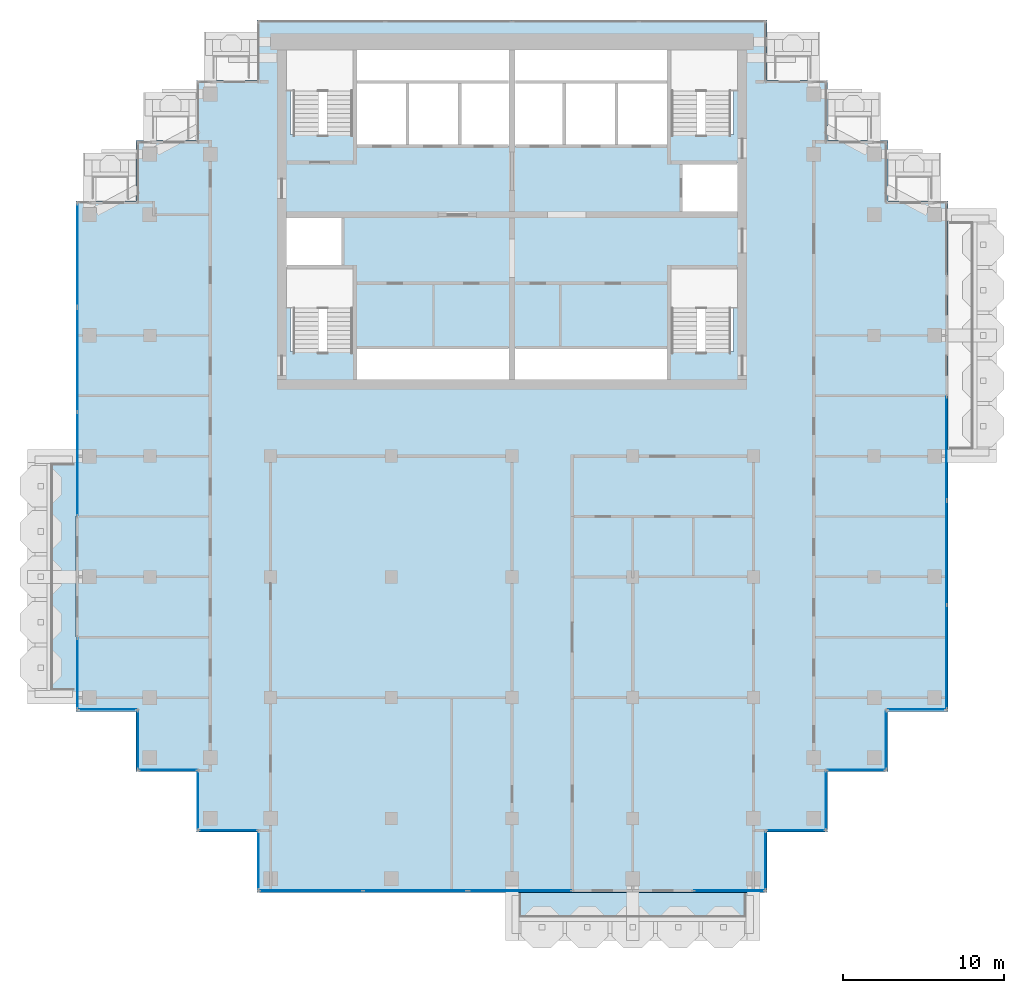
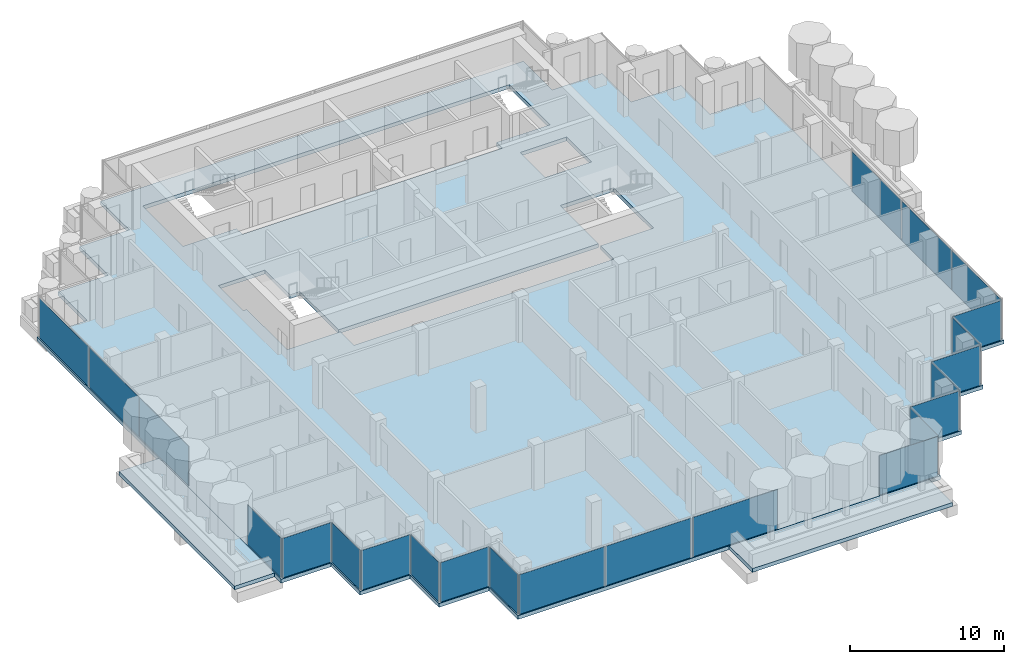
# One storey, part 8 of 19: 23 plates, 3 slabs, 20 elements without a shape of their own.
"""IFC4 building model written with IfcOpenShell, lengths in metres."""

from ifc_helpers import new_model, si_unit, direction, frame, origin, origin_2d, place, context, subcontext, project, spatial, polyline, rectangle, outline, extrude, material, layer, layer_set, type_object, element, aggregate, save


model = new_model("IFC4")

# Units and contexts
model_context = context("Model", 3, precision=1e-05, world=origin(), true_north=direction((0.0, 1.0)))
body_context = subcontext(model_context, "Body", "Model", "MODEL_VIEW")
ifc_project = project(units=[si_unit("LENGTHUNIT", "METRE"), si_unit("AREAUNIT", "SQUARE_METRE"), si_unit("VOLUMEUNIT", "CUBIC_METRE"), si_unit("PLANEANGLEUNIT", "RADIAN"), si_unit("MASSUNIT", "GRAM", prefix="KILO")], contexts=[model_context])

# Site, building, storey
site_placement = place(None, origin())
site = spatial("IfcSite", under=ifc_project, at=site_placement, CompositionType="ELEMENT")
building_placement = place(site_placement, origin())
building = spatial("IfcBuilding", under=site, at=building_placement, Name="Pilkhan Gate Tower", CompositionType="ELEMENT")
storey_placement = place(building_placement, frame((0.0, 0.0, 239.10009765625)))
storey = spatial("IfcBuildingStorey", under=building, at=storey_placement, Name="L62", CompositionType="ELEMENT", Elevation=239.10009765625)

# Slabs
ifc_material_1 = material(Name="Concrete C60/75", Category="concrete")
ifc_layer_1 = layer(ifc_material_1, 0.300048828125)
ifc_layer_set_1 = layer_set([ifc_layer_1], Name="Balcony tray slab TR300")
slab_type_1 = type_object("IfcSlabType", Name="Balcony tray slab TR300", PredefinedType="FLOOR", material=ifc_layer_set_1)
slab_1_placement = place(storey_placement, frame((0.0, 0.0, -0.300048828125)))
element("IfcSlab", 1, at=slab_1_placement, inside=storey, type_object=slab_type_1, Name="Balcony tray L62 S", PredefinedType="FLOOR", context=body_context, shape_type="SweptSolid", body=[
    extrude(outline(polyline([(90.0, 37.39990234375), (90.0, 40.39990234375), (75.0, 40.39990234375), (75.0, 37.39990234375), (90.0, 37.39990234375)])), origin(), (0.0, 0.0, 1.0), 0.300048828125),
])
slab_2_placement = place(storey_placement, frame((0.0, 0.0, -0.300048828125)))
element("IfcSlab", 2, at=slab_2_placement, inside=storey, type_object=slab_type_1, Name="Balcony tray L62 W", PredefinedType="FLOOR", context=body_context, shape_type="SweptSolid", body=[
    extrude(outline(polyline([(47.89990234375, 52.5), (47.89990234375, 67.5), (44.89990234375, 67.5), (44.89990234375, 52.5), (47.89990234375, 52.5)])), origin(), (0.0, 0.0, 1.0), 0.300048828125),
])
ifc_material_2 = material(Name="Concrete C40/50", Category="concrete")
ifc_layer_2 = layer(ifc_material_2, 0.300048828125)
ifc_layer_set_2 = layer_set([ifc_layer_2], Name="Flat plate slab FP300")
slab_type_2 = type_object("IfcSlabType", Name="Flat plate slab FP300", PredefinedType="FLOOR", material=ifc_layer_set_2)
slab_3_placement = place(storey_placement, frame((0.0, 0.0, -0.300048828125)))
element("IfcSlab", 3, at=slab_3_placement, inside=storey, type_object=slab_type_2, Name="Floor slab L62", PredefinedType="FLOOR", context=body_context, shape_type="SweptSolid", body=[
    extrude(outline(polyline([(98.35009765625, 47.89990234375), (94.60009765625, 47.89990234375), (94.60009765625, 44.14990234375), (90.85009765625, 44.14990234375), (90.85009765625, 40.39990234375), (59.14990234375, 40.39990234375), (59.14990234375, 44.14990234375), (55.39990234375, 44.14990234375), (55.39990234375, 47.89990234375), (51.64990234375, 47.89990234375), (51.64990234375, 51.64990234375), (47.89990234375, 51.64990234375), (47.89990234375, 83.35009765625), (51.64990234375, 83.35009765625), (51.64990234375, 87.10009765625), (55.39990234375, 87.10009765625), (55.39990234375, 90.85009765625), (59.14990234375, 90.85009765625), (59.14990234375, 94.60009765625), (90.85009765625, 94.60009765625), (90.85009765625, 90.85009765625), (94.60009765625, 90.85009765625), (94.60009765625, 87.10009765625), (98.35009765625, 87.10009765625), (98.35009765625, 83.35009765625), (102.10009765625, 83.35009765625), (102.10009765625, 51.64990234375), (98.35009765625, 51.64990234375), (98.35009765625, 47.89990234375)]), holes=[polyline([(75.0, 72.25), (84.75, 72.25), (84.75, 74.0), (88.75, 74.0), (88.75, 79.25), (84.75, 79.25), (84.75, 74.25), (75.0, 74.25), (65.25, 74.25), (65.25, 79.25), (64.5, 79.25), (64.5, 82.5), (61.25, 82.5), (61.0, 82.5), (61.0, 79.25), (61.25, 79.25), (61.25, 74.0), (65.25, 74.0), (65.25, 72.25), (75.0, 72.25)]), polyline([(68.5, 86.75), (71.75, 86.75), (75.0, 86.75), (78.25, 86.75), (81.5, 86.75), (84.75, 86.75), (84.75, 87.5), (88.75, 87.5), (88.75, 92.75), (84.75, 92.75), (75.0, 92.75), (65.25, 92.75), (61.25, 92.75), (61.25, 87.5), (65.25, 87.5), (65.25, 86.75), (68.5, 86.75)]), polyline([(85.5, 85.75), (85.5, 82.5), (88.75, 82.5), (89.0, 82.5), (89.0, 85.75), (88.75, 85.75), (85.5, 85.75)])]), origin(), (0.0, 0.0, 1.0), 0.300048828125),
])

# Curtain wall, plates
ifc_material_3 = material(Name="Pale anodised aluminium, clear low-iron double glazing", Category="aluminium")
curtain_wall_type = type_object("IfcCurtainWallType", Name="Office unitised curtain wall CW-O2", PredefinedType="USERDEFINED", material=ifc_material_3)
curtain_wall_1_placement = place(storey_placement, origin())
curtain_wall_1 = element("IfcCurtainWall", 4, at=curtain_wall_1_placement, inside=storey, type_object=curtain_wall_type, Name="Office unitised curtain wall CW-O2 L62 E", ObjectType="UNITISED CURTAIN WALL", PredefinedType="USERDEFINED")
ifc_material_4 = material(Name="Clear low-iron double glazing", Category="glass")
ifc_layer_3 = layer(ifc_material_4, 0.031982421875)
ifc_layer_set_3 = layer_set([ifc_layer_3], Name="Glass panel CW-O2 32")
plate_type = type_object("IfcPlateType", Name="Glass panel CW-O2 32", PredefinedType="CURTAIN_PANEL", material=ifc_layer_set_3)
plate_1_placement = place(storey_placement, frame((102.0, 55.016357421875, 0.0), z_axis=(0.0, 0.0, 1.0), x_axis=(0.0, 1.0, 0.0)))
plate_1 = element("IfcPlate", 5, at=plate_1_placement, type_object=plate_type, Name="CW-O2 panel 1", PredefinedType="CURTAIN_PANEL", context=body_context, shape_type="SweptSolid", body=[
    extrude(rectangle(XDim=6.402587890625, YDim=0.031982421875, at=origin_2d()), origin(), (0.0, 0.0, 1.0), 3.135009765625),
])
plate_2_placement = place(storey_placement, frame((102.0, 61.483642578125, 0.0), z_axis=(0.0, 0.0, 1.0), x_axis=(0.0, 1.0, 0.0)))
plate_2 = element("IfcPlate", 6, at=plate_2_placement, type_object=plate_type, Name="CW-O2 panel 2", PredefinedType="CURTAIN_PANEL", context=body_context, shape_type="SweptSolid", body=[
    extrude(rectangle(XDim=6.402587890625, YDim=0.031982421875, at=origin_2d()), origin(), (0.0, 0.0, 1.0), 3.135009765625),
])
aggregate(curtain_wall_1, [plate_1, plate_2])

# Curtain wall, plate
curtain_wall_2_placement = place(storey_placement, origin())
curtain_wall_2 = element("IfcCurtainWall", 7, at=curtain_wall_2_placement, inside=storey, type_object=curtain_wall_type, Name="Office unitised curtain wall CW-O2 L62 E", ObjectType="UNITISED CURTAIN WALL", PredefinedType="USERDEFINED")
plate_3_placement = place(storey_placement, frame((102.0, 68.0, 0.0), z_axis=(0.0, 0.0, 1.0), x_axis=(0.0, 1.0, 0.0)))
plate_3 = element("IfcPlate", 8, at=plate_3_placement, type_object=plate_type, Name="CW-O2 panel 1", PredefinedType="CURTAIN_PANEL", context=body_context, shape_type="SweptSolid", body=[
    extrude(rectangle(XDim=6.3701171875, YDim=0.031982421875, at=origin_2d()), origin(), (0.0, 0.0, 1.0), 3.135009765625),
])
aggregate(curtain_wall_2, [plate_3])

curtain_wall_3_placement = place(storey_placement, origin())
curtain_wall_3 = element("IfcCurtainWall", 9, at=curtain_wall_3_placement, inside=storey, type_object=curtain_wall_type, Name="Office unitised curtain wall CW-O2 L62 W", ObjectType="UNITISED CURTAIN WALL", PredefinedType="USERDEFINED")
plate_4_placement = place(storey_placement, frame((48.0, 54.0, 0.0), z_axis=(0.0, 0.0, 1.0), x_axis=(0.0, 1.0, 0.0)))
plate_4 = element("IfcPlate", 10, at=plate_4_placement, type_object=plate_type, Name="CW-O2 panel 1", PredefinedType="CURTAIN_PANEL", context=body_context, shape_type="SweptSolid", body=[
    extrude(rectangle(XDim=4.3701171875, YDim=0.031982421875, at=origin_2d()), origin(), (0.0, 0.0, 1.0), 3.135009765625),
])
aggregate(curtain_wall_3, [plate_4])

# Curtain wall, plates
curtain_wall_4_placement = place(storey_placement, origin())
curtain_wall_4 = element("IfcCurtainWall", 11, at=curtain_wall_4_placement, inside=storey, type_object=curtain_wall_type, Name="Office unitised curtain wall CW-O2 L62 W", ObjectType="UNITISED CURTAIN WALL", PredefinedType="USERDEFINED")
plate_5_placement = place(storey_placement, frame((48.0, 67.016357421875, 0.0), z_axis=(0.0, 0.0, 1.0), x_axis=(0.0, 1.0, 0.0)))
plate_5 = element("IfcPlate", 12, at=plate_5_placement, type_object=plate_type, Name="CW-O2 panel 1", PredefinedType="CURTAIN_PANEL", context=body_context, shape_type="SweptSolid", body=[
    extrude(rectangle(XDim=6.402587890625, YDim=0.031982421875, at=origin_2d()), origin(), (0.0, 0.0, 1.0), 3.135009765625),
])
plate_6_placement = place(storey_placement, frame((48.0, 73.483642578125, 0.0), z_axis=(0.0, 0.0, 1.0), x_axis=(0.0, 1.0, 0.0)))
plate_6 = element("IfcPlate", 13, at=plate_6_placement, type_object=plate_type, Name="CW-O2 panel 2", PredefinedType="CURTAIN_PANEL", context=body_context, shape_type="SweptSolid", body=[
    extrude(rectangle(XDim=6.402587890625, YDim=0.031982421875, at=origin_2d()), origin(), (0.0, 0.0, 1.0), 3.135009765625),
])
aggregate(curtain_wall_4, [plate_5, plate_6])

# Curtain wall, plate
curtain_wall_5_placement = place(storey_placement, origin())
curtain_wall_5 = element("IfcCurtainWall", 14, at=curtain_wall_5_placement, inside=storey, type_object=curtain_wall_type, Name="Office unitised curtain wall CW-O2 L62 W", ObjectType="UNITISED CURTAIN WALL", PredefinedType="USERDEFINED")
plate_7_placement = place(storey_placement, frame((48.0, 80.0, 0.0), z_axis=(0.0, 0.0, 1.0), x_axis=(0.0, 1.0, 0.0)))
plate_7 = element("IfcPlate", 15, at=plate_7_placement, type_object=plate_type, Name="CW-O2 panel 1", PredefinedType="CURTAIN_PANEL", context=body_context, shape_type="SweptSolid", body=[
    extrude(rectangle(XDim=6.3701171875, YDim=0.031982421875, at=origin_2d()), origin(), (0.0, 0.0, 1.0), 3.135009765625),
])
aggregate(curtain_wall_5, [plate_7])

curtain_wall_6_placement = place(storey_placement, origin())
curtain_wall_6 = element("IfcCurtainWall", 16, at=curtain_wall_6_placement, inside=storey, type_object=curtain_wall_type, Name="Office unitised curtain wall CW-O2 L62 S", ObjectType="UNITISED CURTAIN WALL", PredefinedType="USERDEFINED")
plate_8_placement = place(storey_placement, frame((49.875, 51.75, 0.0), z_axis=(0.0, 0.0, 1.0), x_axis=(1.0, 0.0, 0.0)))
plate_8 = element("IfcPlate", 17, at=plate_8_placement, type_object=plate_type, Name="CW-O2 panel 1", PredefinedType="CURTAIN_PANEL", context=body_context, shape_type="SweptSolid", body=[
    extrude(rectangle(XDim=3.6201171875, YDim=0.031982421875, at=origin_2d()), origin(), (0.0, 0.0, 1.0), 3.135009765625),
])
aggregate(curtain_wall_6, [plate_8])

curtain_wall_7_placement = place(storey_placement, origin())
curtain_wall_7 = element("IfcCurtainWall", 18, at=curtain_wall_7_placement, inside=storey, type_object=curtain_wall_type, Name="Office unitised curtain wall CW-O2 L62 W", ObjectType="UNITISED CURTAIN WALL", PredefinedType="USERDEFINED")
plate_9_placement = place(storey_placement, frame((51.75, 49.875, 0.0), z_axis=(0.0, 0.0, 1.0), x_axis=(0.0, 1.0, 0.0)))
plate_9 = element("IfcPlate", 19, at=plate_9_placement, type_object=plate_type, Name="CW-O2 panel 1", PredefinedType="CURTAIN_PANEL", context=body_context, shape_type="SweptSolid", body=[
    extrude(rectangle(XDim=3.6201171875, YDim=0.031982421875, at=origin_2d()), origin(), (0.0, 0.0, 1.0), 3.135009765625),
])
aggregate(curtain_wall_7, [plate_9])

curtain_wall_8_placement = place(storey_placement, origin())
curtain_wall_8 = element("IfcCurtainWall", 20, at=curtain_wall_8_placement, inside=storey, type_object=curtain_wall_type, Name="Office unitised curtain wall CW-O2 L62 S", ObjectType="UNITISED CURTAIN WALL", PredefinedType="USERDEFINED")
plate_10_placement = place(storey_placement, frame((53.625, 48.0, 0.0), z_axis=(0.0, 0.0, 1.0), x_axis=(1.0, 0.0, 0.0)))
plate_10 = element("IfcPlate", 21, at=plate_10_placement, type_object=plate_type, Name="CW-O2 panel 1", PredefinedType="CURTAIN_PANEL", context=body_context, shape_type="SweptSolid", body=[
    extrude(rectangle(XDim=3.6201171875, YDim=0.031982421875, at=origin_2d()), origin(), (0.0, 0.0, 1.0), 3.135009765625),
])
aggregate(curtain_wall_8, [plate_10])

curtain_wall_9_placement = place(storey_placement, origin())
curtain_wall_9 = element("IfcCurtainWall", 22, at=curtain_wall_9_placement, inside=storey, type_object=curtain_wall_type, Name="Office unitised curtain wall CW-O2 L62 W", ObjectType="UNITISED CURTAIN WALL", PredefinedType="USERDEFINED")
plate_11_placement = place(storey_placement, frame((55.5, 46.125, 0.0), z_axis=(0.0, 0.0, 1.0), x_axis=(0.0, 1.0, 0.0)))
plate_11 = element("IfcPlate", 23, at=plate_11_placement, type_object=plate_type, Name="CW-O2 panel 1", PredefinedType="CURTAIN_PANEL", context=body_context, shape_type="SweptSolid", body=[
    extrude(rectangle(XDim=3.6201171875, YDim=0.031982421875, at=origin_2d()), origin(), (0.0, 0.0, 1.0), 3.135009765625),
])
aggregate(curtain_wall_9, [plate_11])

curtain_wall_10_placement = place(storey_placement, origin())
curtain_wall_10 = element("IfcCurtainWall", 24, at=curtain_wall_10_placement, inside=storey, type_object=curtain_wall_type, Name="Office unitised curtain wall CW-O2 L62 S", ObjectType="UNITISED CURTAIN WALL", PredefinedType="USERDEFINED")
plate_12_placement = place(storey_placement, frame((57.375, 44.25, 0.0), z_axis=(0.0, 0.0, 1.0), x_axis=(1.0, 0.0, 0.0)))
plate_12 = element("IfcPlate", 25, at=plate_12_placement, type_object=plate_type, Name="CW-O2 panel 1", PredefinedType="CURTAIN_PANEL", context=body_context, shape_type="SweptSolid", body=[
    extrude(rectangle(XDim=3.6201171875, YDim=0.031982421875, at=origin_2d()), origin(), (0.0, 0.0, 1.0), 3.135009765625),
])
aggregate(curtain_wall_10, [plate_12])

curtain_wall_11_placement = place(storey_placement, origin())
curtain_wall_11 = element("IfcCurtainWall", 26, at=curtain_wall_11_placement, inside=storey, type_object=curtain_wall_type, Name="Office unitised curtain wall CW-O2 L62 W", ObjectType="UNITISED CURTAIN WALL", PredefinedType="USERDEFINED")
plate_13_placement = place(storey_placement, frame((59.25, 42.375, 0.0), z_axis=(0.0, 0.0, 1.0), x_axis=(0.0, 1.0, 0.0)))
plate_13 = element("IfcPlate", 27, at=plate_13_placement, type_object=plate_type, Name="CW-O2 panel 1", PredefinedType="CURTAIN_PANEL", context=body_context, shape_type="SweptSolid", body=[
    extrude(rectangle(XDim=3.6201171875, YDim=0.031982421875, at=origin_2d()), origin(), (0.0, 0.0, 1.0), 3.135009765625),
])
aggregate(curtain_wall_11, [plate_13])

# Curtain wall, plates
curtain_wall_12_placement = place(storey_placement, origin())
curtain_wall_12 = element("IfcCurtainWall", 28, at=curtain_wall_12_placement, inside=storey, type_object=curtain_wall_type, Name="Office unitised curtain wall CW-O2 L62 S", ObjectType="UNITISED CURTAIN WALL", PredefinedType="USERDEFINED")
plate_14_placement = place(storey_placement, frame((62.516357421875, 40.5, 0.0), z_axis=(0.0, 0.0, 1.0), x_axis=(1.0, 0.0, 0.0)))
plate_14 = element("IfcPlate", 29, at=plate_14_placement, type_object=plate_type, Name="CW-O2 panel 1", PredefinedType="CURTAIN_PANEL", context=body_context, shape_type="SweptSolid", body=[
    extrude(rectangle(XDim=6.402587890625, YDim=0.031982421875, at=origin_2d()), origin(), (0.0, 0.0, 1.0), 3.135009765625),
])
plate_15_placement = place(storey_placement, frame((68.983642578125, 40.5, 0.0), z_axis=(0.0, 0.0, 1.0), x_axis=(1.0, 0.0, 0.0)))
plate_15 = element("IfcPlate", 30, at=plate_15_placement, type_object=plate_type, Name="CW-O2 panel 2", PredefinedType="CURTAIN_PANEL", context=body_context, shape_type="SweptSolid", body=[
    extrude(rectangle(XDim=6.402587890625, YDim=0.031982421875, at=origin_2d()), origin(), (0.0, 0.0, 1.0), 3.135009765625),
])
aggregate(curtain_wall_12, [plate_14, plate_15])

# Curtain wall, plate
curtain_wall_13_placement = place(storey_placement, origin())
curtain_wall_13 = element("IfcCurtainWall", 31, at=curtain_wall_13_placement, inside=storey, type_object=curtain_wall_type, Name="Office unitised curtain wall CW-O2 L62 S", ObjectType="UNITISED CURTAIN WALL", PredefinedType="USERDEFINED")
plate_16_placement = place(storey_placement, frame((75.5, 40.5, 0.0), z_axis=(0.0, 0.0, 1.0), x_axis=(1.0, 0.0, 0.0)))
plate_16 = element("IfcPlate", 32, at=plate_16_placement, type_object=plate_type, Name="CW-O2 panel 1", PredefinedType="CURTAIN_PANEL", context=body_context, shape_type="SweptSolid", body=[
    extrude(rectangle(XDim=6.3701171875, YDim=0.031982421875, at=origin_2d()), origin(), (0.0, 0.0, 1.0), 3.135009765625),
])
aggregate(curtain_wall_13, [plate_16])

curtain_wall_14_placement = place(storey_placement, origin())
curtain_wall_14 = element("IfcCurtainWall", 33, at=curtain_wall_14_placement, inside=storey, type_object=curtain_wall_type, Name="Office unitised curtain wall CW-O2 L62 S", ObjectType="UNITISED CURTAIN WALL", PredefinedType="USERDEFINED")
plate_17_placement = place(storey_placement, frame((88.5, 40.5, 0.0), z_axis=(0.0, 0.0, 1.0), x_axis=(1.0, 0.0, 0.0)))
plate_17 = element("IfcPlate", 34, at=plate_17_placement, type_object=plate_type, Name="CW-O2 panel 1", PredefinedType="CURTAIN_PANEL", context=body_context, shape_type="SweptSolid", body=[
    extrude(rectangle(XDim=4.3701171875, YDim=0.031982421875, at=origin_2d()), origin(), (0.0, 0.0, 1.0), 3.135009765625),
])
aggregate(curtain_wall_14, [plate_17])

curtain_wall_15_placement = place(storey_placement, origin())
curtain_wall_15 = element("IfcCurtainWall", 35, at=curtain_wall_15_placement, inside=storey, type_object=curtain_wall_type, Name="Office unitised curtain wall CW-O2 L62 E", ObjectType="UNITISED CURTAIN WALL", PredefinedType="USERDEFINED")
plate_18_placement = place(storey_placement, frame((90.75, 42.375, 0.0), z_axis=(0.0, 0.0, 1.0), x_axis=(0.0, 1.0, 0.0)))
plate_18 = element("IfcPlate", 36, at=plate_18_placement, type_object=plate_type, Name="CW-O2 panel 1", PredefinedType="CURTAIN_PANEL", context=body_context, shape_type="SweptSolid", body=[
    extrude(rectangle(XDim=3.6201171875, YDim=0.031982421875, at=origin_2d()), origin(), (0.0, 0.0, 1.0), 3.135009765625),
])
aggregate(curtain_wall_15, [plate_18])

curtain_wall_16_placement = place(storey_placement, origin())
curtain_wall_16 = element("IfcCurtainWall", 37, at=curtain_wall_16_placement, inside=storey, type_object=curtain_wall_type, Name="Office unitised curtain wall CW-O2 L62 S", ObjectType="UNITISED CURTAIN WALL", PredefinedType="USERDEFINED")
plate_19_placement = place(storey_placement, frame((92.625, 44.25, 0.0), z_axis=(0.0, 0.0, 1.0), x_axis=(1.0, 0.0, 0.0)))
plate_19 = element("IfcPlate", 38, at=plate_19_placement, type_object=plate_type, Name="CW-O2 panel 1", PredefinedType="CURTAIN_PANEL", context=body_context, shape_type="SweptSolid", body=[
    extrude(rectangle(XDim=3.6201171875, YDim=0.031982421875, at=origin_2d()), origin(), (0.0, 0.0, 1.0), 3.135009765625),
])
aggregate(curtain_wall_16, [plate_19])

curtain_wall_17_placement = place(storey_placement, origin())
curtain_wall_17 = element("IfcCurtainWall", 39, at=curtain_wall_17_placement, inside=storey, type_object=curtain_wall_type, Name="Office unitised curtain wall CW-O2 L62 E", ObjectType="UNITISED CURTAIN WALL", PredefinedType="USERDEFINED")
plate_20_placement = place(storey_placement, frame((94.5, 46.125, 0.0), z_axis=(0.0, 0.0, 1.0), x_axis=(0.0, 1.0, 0.0)))
plate_20 = element("IfcPlate", 40, at=plate_20_placement, type_object=plate_type, Name="CW-O2 panel 1", PredefinedType="CURTAIN_PANEL", context=body_context, shape_type="SweptSolid", body=[
    extrude(rectangle(XDim=3.6201171875, YDim=0.031982421875, at=origin_2d()), origin(), (0.0, 0.0, 1.0), 3.135009765625),
])
aggregate(curtain_wall_17, [plate_20])

curtain_wall_18_placement = place(storey_placement, origin())
curtain_wall_18 = element("IfcCurtainWall", 41, at=curtain_wall_18_placement, inside=storey, type_object=curtain_wall_type, Name="Office unitised curtain wall CW-O2 L62 S", ObjectType="UNITISED CURTAIN WALL", PredefinedType="USERDEFINED")
plate_21_placement = place(storey_placement, frame((96.375, 48.0, 0.0), z_axis=(0.0, 0.0, 1.0), x_axis=(1.0, 0.0, 0.0)))
plate_21 = element("IfcPlate", 42, at=plate_21_placement, type_object=plate_type, Name="CW-O2 panel 1", PredefinedType="CURTAIN_PANEL", context=body_context, shape_type="SweptSolid", body=[
    extrude(rectangle(XDim=3.6201171875, YDim=0.031982421875, at=origin_2d()), origin(), (0.0, 0.0, 1.0), 3.135009765625),
])
aggregate(curtain_wall_18, [plate_21])

curtain_wall_19_placement = place(storey_placement, origin())
curtain_wall_19 = element("IfcCurtainWall", 43, at=curtain_wall_19_placement, inside=storey, type_object=curtain_wall_type, Name="Office unitised curtain wall CW-O2 L62 E", ObjectType="UNITISED CURTAIN WALL", PredefinedType="USERDEFINED")
plate_22_placement = place(storey_placement, frame((98.25, 49.875, 0.0), z_axis=(0.0, 0.0, 1.0), x_axis=(0.0, 1.0, 0.0)))
plate_22 = element("IfcPlate", 44, at=plate_22_placement, type_object=plate_type, Name="CW-O2 panel 1", PredefinedType="CURTAIN_PANEL", context=body_context, shape_type="SweptSolid", body=[
    extrude(rectangle(XDim=3.6201171875, YDim=0.031982421875, at=origin_2d()), origin(), (0.0, 0.0, 1.0), 3.135009765625),
])
aggregate(curtain_wall_19, [plate_22])

curtain_wall_20_placement = place(storey_placement, origin())
curtain_wall_20 = element("IfcCurtainWall", 45, at=curtain_wall_20_placement, inside=storey, type_object=curtain_wall_type, Name="Office unitised curtain wall CW-O2 L62 S", ObjectType="UNITISED CURTAIN WALL", PredefinedType="USERDEFINED")
plate_23_placement = place(storey_placement, frame((100.125, 51.75, 0.0), z_axis=(0.0, 0.0, 1.0), x_axis=(1.0, 0.0, 0.0)))
plate_23 = element("IfcPlate", 46, at=plate_23_placement, type_object=plate_type, Name="CW-O2 panel 1", PredefinedType="CURTAIN_PANEL", context=body_context, shape_type="SweptSolid", body=[
    extrude(rectangle(XDim=3.6201171875, YDim=0.031982421875, at=origin_2d()), origin(), (0.0, 0.0, 1.0), 3.135009765625),
])
aggregate(curtain_wall_20, [plate_23])

save(model, "model.ifc")
